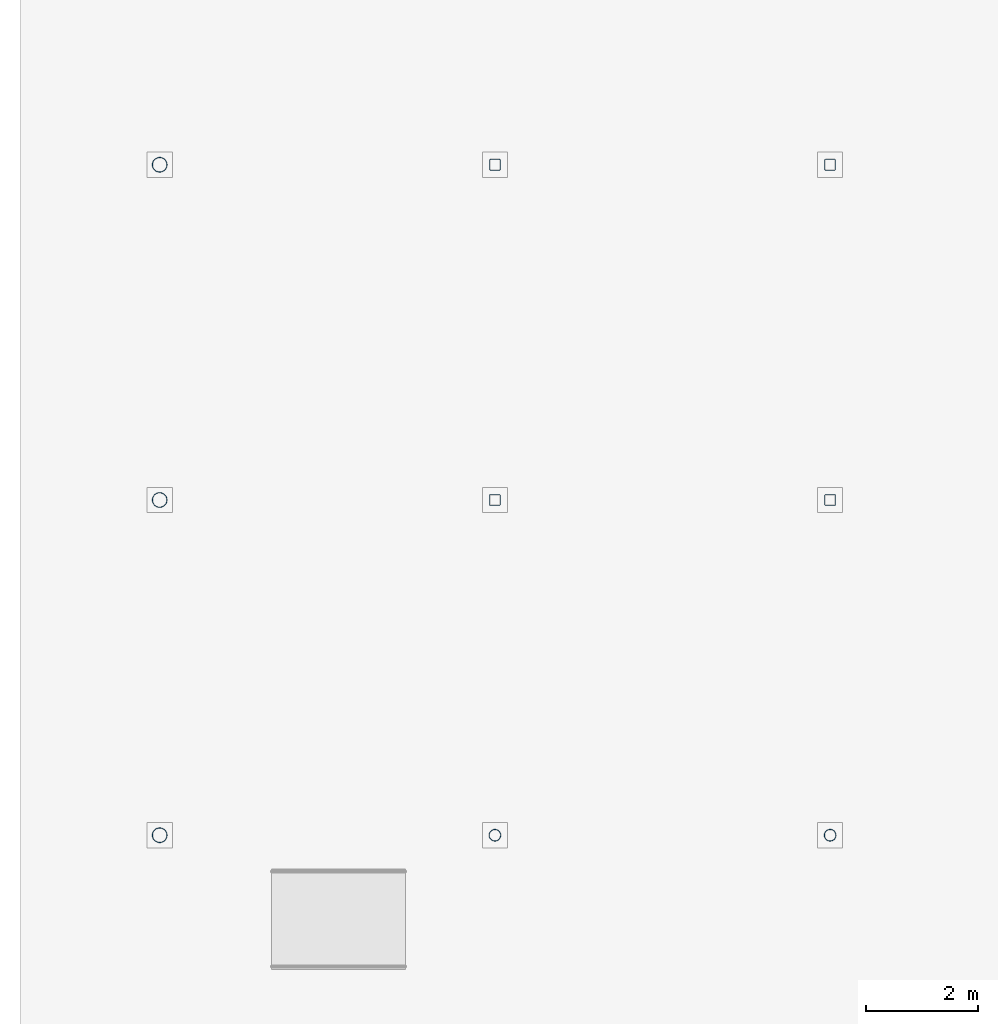
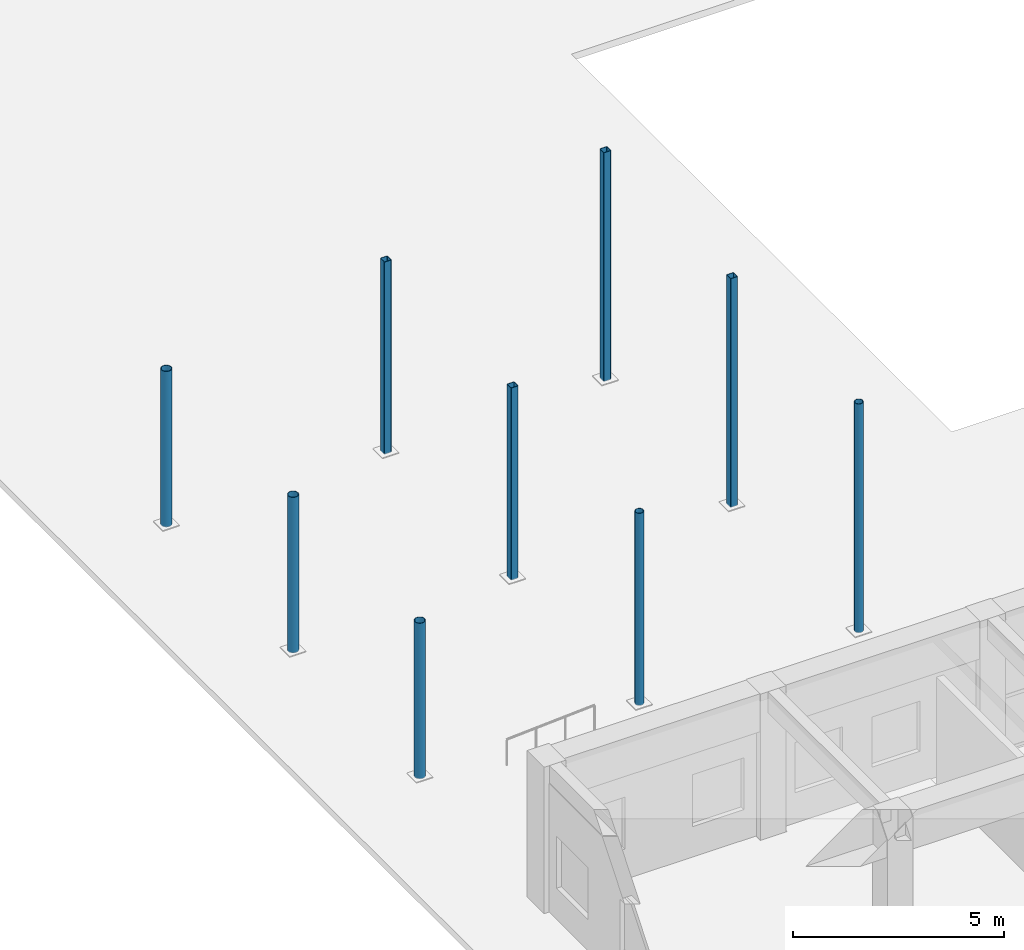
# One storey, part 2 of 76: 9 columns.
"""IFC4 building model written with IfcOpenShell, lengths in metres."""

from ifc_helpers import new_model, si_unit, direction, frame, origin, origin_2d, place, context, subcontext, project, spatial, hollow_rectangle, hollow_circle, extrude, material, material_profile, profile_set, type_object, element, save


model = new_model("IFC4")

# Units and contexts
model_context = context("Model", 3, precision=1e-05, world=origin(), true_north=direction((0.0, 1.0)))
body_context = subcontext(model_context, "Body", "Model", "MODEL_VIEW")
ifc_project = project(units=[si_unit("LENGTHUNIT", "METRE"), si_unit("AREAUNIT", "SQUARE_METRE"), si_unit("VOLUMEUNIT", "CUBIC_METRE"), si_unit("PLANEANGLEUNIT", "RADIAN"), si_unit("MASSUNIT", "GRAM", prefix="KILO"), si_unit("POWERUNIT", "WATT"), si_unit("THERMODYNAMICTEMPERATUREUNIT", "KELVIN")], contexts=[model_context])

# Site, building, storey
site_placement = place(None, origin())
site = spatial("IfcSite", under=ifc_project, at=site_placement, CompositionType="ELEMENT")
building_placement = place(site_placement, origin())
building = spatial("IfcBuilding", under=site, at=building_placement, Name="Ruvembo Vaulted Housing Court", CompositionType="ELEMENT")
storey_placement = place(building_placement, origin())
storey = spatial("IfcBuildingStorey", under=building, at=storey_placement, Name="L00", CompositionType="ELEMENT", Elevation=0.0)

# Columns
ifc_material = material(Name="Steel S355J2", Category="steel")
ifc_material_profile_1 = material_profile(ifc_material, hollow_circle(Radius=0.109619140625, WallThickness=0.012451171875, at=origin_2d()), Name="CHS 219.1x12.5")
ifc_profile_set_1 = profile_set([ifc_material_profile_1], Name="Steel S355J2")
column_type_1 = type_object("IfcColumnType", Name="COL-ST-CHS219", PredefinedType="COLUMN", material=ifc_profile_set_1)
column_1_placement = place(storey_placement, frame((6.0, 48.0, 0.0), z_axis=(0.0, 0.0, 1.0), x_axis=(1.0, 0.0, 0.0)))
element("IfcColumn", 1, at=column_1_placement, inside=storey, type_object=column_type_1, Name="L00 Column (6,48)", PredefinedType="COLUMN", context=body_context, shape_type="SweptSolid", body=[
    extrude(hollow_circle(Radius=0.109619140625, WallThickness=0.012451171875, at=origin_2d()), origin(), (0.0, 0.0, 1.0), 5.557861328125),
])
column_2_placement = place(storey_placement, frame((12.0, 48.0, 0.0), z_axis=(0.0, 0.0, 1.0), x_axis=(1.0, 0.0, 0.0)))
element("IfcColumn", 2, at=column_2_placement, inside=storey, type_object=column_type_1, Name="L00 Column (12,48)", PredefinedType="COLUMN", context=body_context, shape_type="SweptSolid", body=[
    extrude(hollow_circle(Radius=0.109619140625, WallThickness=0.012451171875, at=origin_2d()), origin(), (0.0, 0.0, 1.0), 6.615966796875),
])
ifc_material_profile_2 = material_profile(ifc_material, hollow_circle(Radius=0.136474609375, WallThickness=0.012451171875, at=origin_2d()), Name="CHS 273x12.5")
ifc_profile_set_2 = profile_set([ifc_material_profile_2], Name="Steel S355J2")
column_type_2 = type_object("IfcColumnType", Name="COL-ST-CHS273", PredefinedType="COLUMN", material=ifc_profile_set_2)
for number, where, z_axis, x_axis, name in (
    (3, (0.0, 48.0, 0.0), (0.0, 0.0, 1.0), (1.0, 0.0, 0.0), "L00 Column (0,48)"),
    (4, (0.0, 54.0, 0.0), (0.0, 0.0, 1.0), (1.0, 0.0, 0.0), "L00 Column (0,54)"),
    (5, (0.0, 60.0, 0.0), (0.0, 0.0, 1.0), (1.0, 0.0, 0.0), "L00 Column (0,60)"),
):
    element("IfcColumn", number, at=place(storey_placement, frame(where, z_axis=z_axis, x_axis=x_axis)), inside=storey, type_object=column_type_2, Name=name, PredefinedType="COLUMN", context=body_context, shape_type="SweptSolid", body=[
        extrude(hollow_circle(Radius=0.136474609375, WallThickness=0.012451171875, at=origin_2d()), origin(), (0.0, 0.0, 1.0), 4.5),
    ])
ifc_material_profile_3 = material_profile(ifc_material, hollow_rectangle(XDim=0.199951171875, YDim=0.199951171875, WallThickness=0.010009765625, InnerFilletRadius=0.010009765625, OuterFilletRadius=0.02001953125, at=origin_2d()), Name="SHS 200x200x10")
ifc_profile_set_3 = profile_set([ifc_material_profile_3], Name="Steel S355J2")
column_type_3 = type_object("IfcColumnType", Name="COL-ST-SHS200", PredefinedType="COLUMN", material=ifc_profile_set_3)
for number, where, z_axis, x_axis, name in (
    (6, (6.0, 54.0, 0.0), (0.0, 0.0, 1.0), (1.0, 0.0, 0.0), "L00 Column (6,54)"),
    (7, (6.0, 60.0, 0.0), (0.0, 0.0, 1.0), (1.0, 0.0, 0.0), "L00 Column (6,60)"),
):
    element("IfcColumn", number, at=place(storey_placement, frame(where, z_axis=z_axis, x_axis=x_axis)), inside=storey, type_object=column_type_3, Name=name, PredefinedType="COLUMN", context=body_context, shape_type="SweptSolid", body=[
        extrude(hollow_rectangle(XDim=0.199951171875, YDim=0.199951171875, WallThickness=0.010009765625, InnerFilletRadius=0.010009765625, OuterFilletRadius=0.02001953125, at=origin_2d()), origin(), (0.0, 0.0, 1.0), 5.557861328125),
    ])
for number, where, z_axis, x_axis, name in (
    (8, (12.0, 54.0, 0.0), (0.0, 0.0, 1.0), (1.0, 0.0, 0.0), "L00 Column (12,54)"),
    (9, (12.0, 60.0, 0.0), (0.0, 0.0, 1.0), (1.0, 0.0, 0.0), "L00 Column (12,60)"),
):
    element("IfcColumn", number, at=place(storey_placement, frame(where, z_axis=z_axis, x_axis=x_axis)), inside=storey, type_object=column_type_3, Name=name, PredefinedType="COLUMN", context=body_context, shape_type="SweptSolid", body=[
        extrude(hollow_rectangle(XDim=0.199951171875, YDim=0.199951171875, WallThickness=0.010009765625, InnerFilletRadius=0.010009765625, OuterFilletRadius=0.02001953125, at=origin_2d()), origin(), (0.0, 0.0, 1.0), 6.615966796875),
    ])

save(model, "model.ifc")
